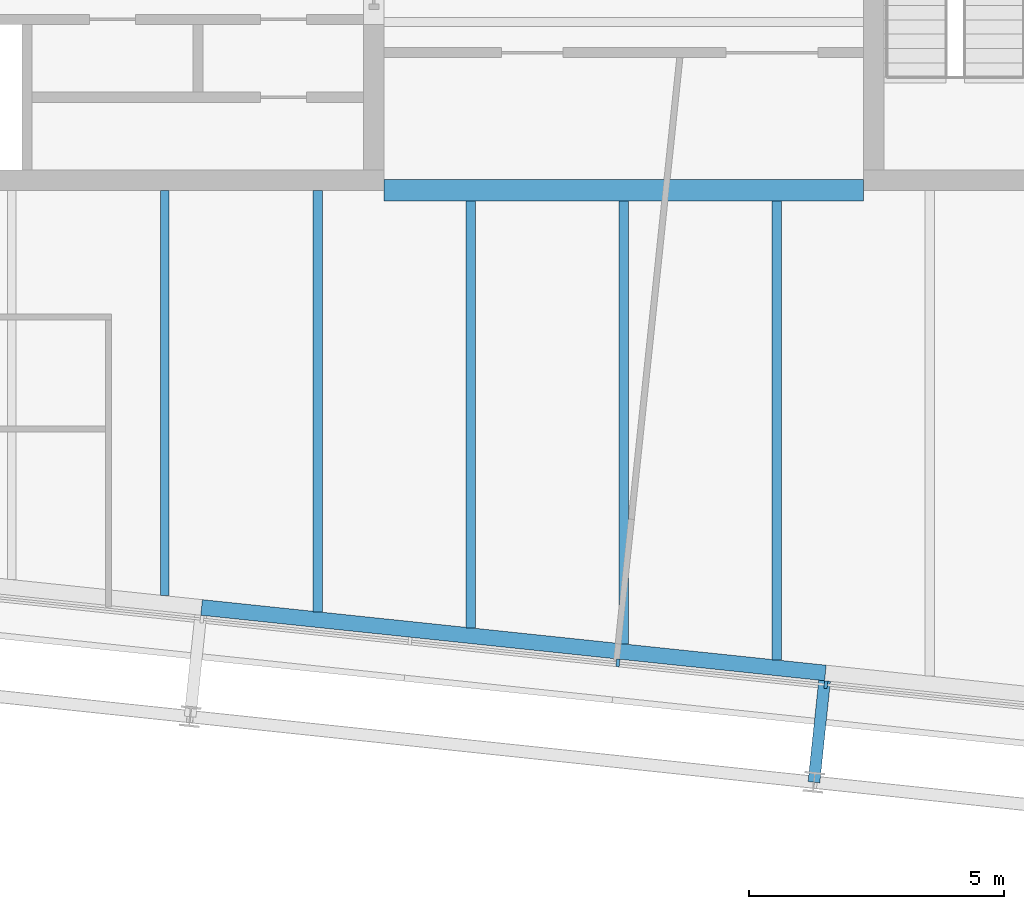
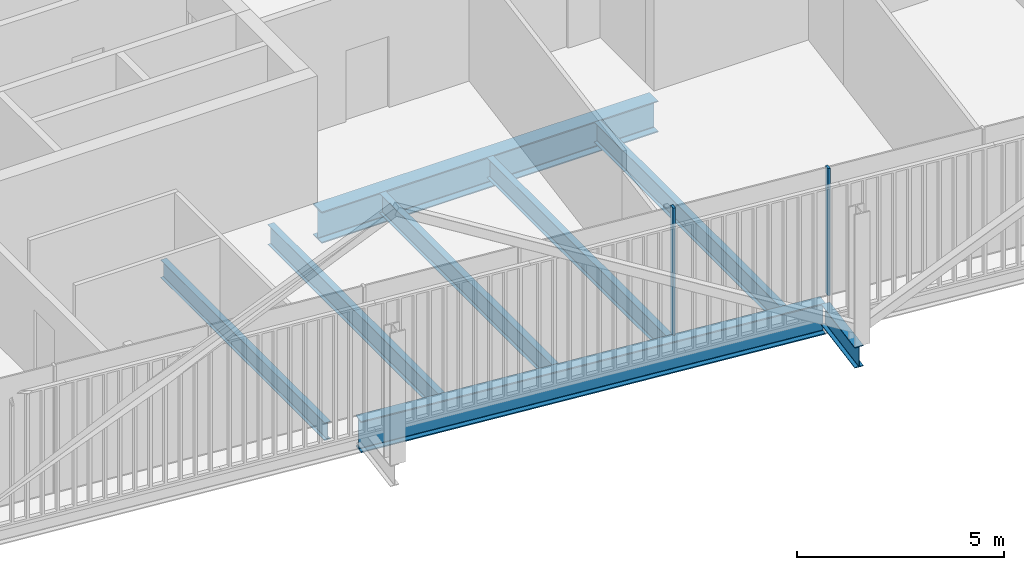
# One storey, part 5 of 21: 8 beams, 2 members, 1 element without a shape of its own.
"""IFC4 building model written with IfcOpenShell, lengths in metres."""

import ifcopenshell
import ifcopenshell.guid

model = None  # the IFC model being written
_history = None  # IfcOwnerHistory: only IFC2X3 demands one
_inside = {}  # id of a spatial element -> (the spatial element, [elements in it])
_under = {}  # id of a project, library or spatial element -> (it, [spatial elements below it])
_declared = {}  # id of a project -> (the project, [libraries it declares])
_typed = {}  # id of a type object -> (the type object, [elements of that type])
_made_of = {}  # id of a material, layer set ... -> (it, [elements and type objects made of it])


def new_model(schema):
    """Start an empty IFC model of exactly this schema.

    Asked for "IFC4X3", IfcOpenShell would pick the latest addendum, in which some entities
    have other attributes; the version numbers below select the first issue.
    IFC2X3 requires an IfcOwnerHistory on every rooted entity: one is made here for all.
    """
    global model, _history
    if schema == "IFC4X3":
        model = ifcopenshell.file(schema_version=(4, 3, 0, 0))
    else:
        model = ifcopenshell.file(schema=schema)
    _inside.clear()
    _under.clear()
    _declared.clear()
    _typed.clear()
    _made_of.clear()
    _history = None
    if model.schema == "IFC2X3":
        org = make("IfcOrganization", Name="unknown")
        user = make(
            "IfcPersonAndOrganization",
            ThePerson=make("IfcPerson", FamilyName="unknown"),
            TheOrganization=org,
        )
        app = make(
            "IfcApplication",
            ApplicationDeveloper=org,
            Version="unknown",
            ApplicationFullName="unknown",
            ApplicationIdentifier="unknown",
        )
        _history = make(
            "IfcOwnerHistory",
            OwningUser=user,
            OwningApplication=app,
            ChangeAction="ADDED",
            CreationDate=0,
        )
    return model


def make(cls, **values):
    """One entity of the class cls with the attributes given. An attribute that is None is left unset."""
    return model.create_entity(
        cls, **{name: value for name, value in values.items() if value is not None}
    )


def rooted(cls, **values):
    """An entity with a GlobalId (a new one), such as an element, a storey or a relation."""
    return make(cls, GlobalId=ifcopenshell.guid.new(), OwnerHistory=_history, **values)


def si_unit(unit_type, name, prefix=None):
    """IfcSIUnit, for example si_unit("LENGTHUNIT", "METRE", prefix="MILLI")."""
    return make("IfcSIUnit", UnitType=unit_type, Prefix=prefix, Name=name)


def assignment(units):
    """IfcUnitAssignment: the units of a project."""
    return None if units is None else make("IfcUnitAssignment", Units=units)


def point(xyz):
    """IfcCartesianPoint."""
    return None if xyz is None else make("IfcCartesianPoint", Coordinates=xyz)


def direction(xyz):
    """IfcDirection."""
    return None if xyz is None else make("IfcDirection", DirectionRatios=xyz)


def frame(location, z_axis=None, x_axis=None):
    """IfcAxis2Placement3D, a coordinate frame: its origin and axes. An axis left out is left unset."""
    return make(
        "IfcAxis2Placement3D",
        Location=point(location),
        Axis=direction(z_axis),
        RefDirection=direction(x_axis),
    )


def frame_2d(location, x_axis=None):
    """IfcAxis2Placement2D, a coordinate frame in the plane: its origin and x axis."""
    return make(
        "IfcAxis2Placement2D", Location=point(location), RefDirection=direction(x_axis)
    )


def origin():
    """The frame at (0, 0, 0) with its axes left unset."""
    return frame((0.0, 0.0, 0.0))


def origin_2d():
    """The frame at (0, 0) in the plane with its x axis left unset."""
    return frame_2d((0.0, 0.0))


def place(relative_to, where):
    """IfcLocalPlacement: puts the frame where relative to a parent placement (None: the world)."""
    return make(
        "IfcLocalPlacement", PlacementRelTo=relative_to, RelativePlacement=where
    )


def context(
    kind, dimensions, precision=None, world=None, true_north=None, identifier=None
):
    """IfcGeometricRepresentationContext, for example the 3D "Model" context."""
    return make(
        "IfcGeometricRepresentationContext",
        ContextIdentifier=identifier,
        ContextType=kind,
        CoordinateSpaceDimension=dimensions,
        Precision=precision,
        WorldCoordinateSystem=world,
        TrueNorth=true_north,
    )


def subcontext(parent, identifier, kind, view, scale=None):
    """IfcGeometricRepresentationSubContext, for example "Body" below "Model"."""
    return make(
        "IfcGeometricRepresentationSubContext",
        ContextIdentifier=identifier,
        ContextType=kind,
        ParentContext=parent,
        TargetScale=scale,
        TargetView=view,
    )


def project(units=None, contexts=None):
    """IfcProject with its units and contexts."""
    return rooted(
        "IfcProject",
        Name="project",
        RepresentationContexts=contexts,
        UnitsInContext=assignment(units),
    )


def spatial(cls, under=None, at=None, **own):
    """A site, building, storey or space (cls), placed at a placement, below another one or the project."""
    s = rooted(cls, ObjectPlacement=at, **own)
    if under is not None:
        _under.setdefault(under.id(), (under, []))[1].append(s)
    return s


def profile(cls, at=None, kind="AREA", **sizes):
    """A parametric profile (cls). Its sizes go by their IFC names, for example OverallWidth=200.0."""
    return make(cls, ProfileType=kind, Position=at, **sizes)


def rectangle(**sizes):
    """IfcRectangleProfileDef."""
    return profile("IfcRectangleProfileDef", **sizes)


def i_section(**sizes):
    """IfcIShapeProfileDef."""
    return profile("IfcIShapeProfileDef", **sizes)


def extrude(swept, where, along, depth):
    """IfcExtrudedAreaSolid: the profile swept, set in the frame where, extruded along a direction by depth."""
    return make(
        "IfcExtrudedAreaSolid",
        SweptArea=swept,
        Position=where,
        ExtrudedDirection=direction(along),
        Depth=depth,
    )


def shape(context_of_items, identifier, shape_type, items):
    """IfcShapeRepresentation: the items that make up one representation, for example the "Body"."""
    return make(
        "IfcShapeRepresentation",
        ContextOfItems=context_of_items,
        RepresentationIdentifier=identifier,
        RepresentationType=shape_type,
        Items=items,
    )


def material(Name=None, Category=None):
    """IfcMaterial."""
    return make("IfcMaterial", Name=Name, Category=Category)


def layer(
    of_material, thickness, ventilated=None, Name=None, Category=None, Priority=None
):
    """IfcMaterialLayer: one layer of a wall or slab, of a material (None: an air gap)."""
    return make(
        "IfcMaterialLayer",
        Material=of_material,
        LayerThickness=thickness,
        IsVentilated=ventilated,
        Name=Name,
        Category=Category,
        Priority=Priority,
    )


def layer_set(layers, Name=None):
    """IfcMaterialLayerSet."""
    return make("IfcMaterialLayerSet", MaterialLayers=layers, LayerSetName=Name)


def material_profile(
    of_material, cross_section, Name=None, Category=None, Priority=None
):
    """IfcMaterialProfile: a cross section and its material."""
    return make(
        "IfcMaterialProfile",
        Name=Name,
        Material=of_material,
        Profile=cross_section,
        Priority=Priority,
        Category=Category,
    )


def profile_set(profiles, Name=None, composite=None):
    """IfcMaterialProfileSet."""
    return make(
        "IfcMaterialProfileSet",
        Name=Name,
        MaterialProfiles=profiles,
        CompositeProfile=composite,
    )


def made_of(thing, what):
    """Note that an element or type object is made of a material, layer set ...; save() writes the relation."""
    if what is not None:
        _made_of.setdefault(what.id(), (what, []))[1].append(thing)
    return thing


def type_object(cls, material=None, **own):
    """A type object (cls), such as IfcWallType, which elements share."""
    return made_of(rooted(cls, **own), material)


def element(
    cls,
    number,
    at=None,
    inside=None,
    cuts=None,
    type_object=None,
    material=None,
    context=None,
    identifier="Body",
    shape_type=None,
    held_by="IfcProductDefinitionShape",
    body=None,
    shapes=None,
    **own,
):
    """One element of the class cls, such as IfcWall. Its Tag is "e" and its number.

    at: its placement. inside: the storey or other place that contains it. cuts: it is an
    opening in that element (IfcRelVoidsElement). A single representation is given by context,
    identifier, shape_type and body (its items); several are given by shapes. held_by: the class
    of the entity that holds the representations. save() writes the other relations.
    """
    e = rooted(cls, Tag="e%d" % number, ObjectPlacement=at, **own)
    if body is not None:
        shapes = [shape(context, identifier, shape_type, body)]
    if shapes is not None:
        e.Representation = make(held_by, Representations=shapes)
    if inside is not None:
        _inside.setdefault(inside.id(), (inside, []))[1].append(e)
    if cuts is not None:
        rooted(
            "IfcRelVoidsElement", RelatingBuildingElement=cuts, RelatedOpeningElement=e
        )
    if type_object is not None:
        _typed.setdefault(type_object.id(), (type_object, []))[1].append(e)
    return made_of(e, material)


def aggregate(whole, parts):
    """IfcRelAggregates: a whole, such as a stair, and the parts it consists of."""
    return rooted("IfcRelAggregates", RelatingObject=whole, RelatedObjects=parts)


def save(model, path):
    """Write the relations noted so far, then the file.

    IfcRelAggregates (storeys below a building ...), IfcRelContainedInSpatialStructure (elements
    in a storey), IfcRelDefinesByType, IfcRelAssociatesMaterial and IfcRelDeclares: one each for
    every whole, place, type object, material and project.
    """
    for whole, parts in _under.values():
        aggregate(whole, parts)
    for where, things in _inside.values():
        rooted(
            "IfcRelContainedInSpatialStructure",
            RelatedElements=things,
            RelatingStructure=where,
        )
    for kind, things in _typed.values():
        rooted("IfcRelDefinesByType", RelatedObjects=things, RelatingType=kind)
    for what, things in _made_of.values():
        rooted("IfcRelAssociatesMaterial", RelatedObjects=things, RelatingMaterial=what)
    for by, libraries in _declared.values():
        rooted("IfcRelDeclares", RelatingContext=by, RelatedDefinitions=libraries)
    model.write(path)


model = new_model("IFC4")

# Units and contexts
model_context = context("Model", 3, precision=1e-05, world=origin(), true_north=direction((0.0, 1.0)))
body_context = subcontext(model_context, "Body", "Model", "MODEL_VIEW")
ifc_project = project(units=[si_unit("LENGTHUNIT", "METRE"), si_unit("AREAUNIT", "SQUARE_METRE"), si_unit("VOLUMEUNIT", "CUBIC_METRE"), si_unit("PLANEANGLEUNIT", "RADIAN"), si_unit("MASSUNIT", "GRAM", prefix="KILO")], contexts=[model_context])

# Site, building, storey
site_placement = place(None, origin())
site = spatial("IfcSite", under=ifc_project, at=site_placement, CompositionType="ELEMENT")
building_placement = place(site_placement, origin())
building = spatial("IfcBuilding", under=site, at=building_placement, Name="Millrace Tower", CompositionType="ELEMENT")
storey_placement = place(building_placement, frame((0.0, 0.0, 318.699951171875)))
storey = spatial("IfcBuildingStorey", under=building, at=storey_placement, Name="L73", CompositionType="ELEMENT", Elevation=318.699951171875)

# Curtain wall, members
ifc_material_1 = material(Name="Aluminium and glass", Category="aluminium")
ifc_layer = layer(ifc_material_1, 0.14990234375)
ifc_layer_set = layer_set([ifc_layer], Name="Aluminium and glass")
curtain_wall_type = type_object("IfcCurtainWallType", Name="CW-1 office vision curtain wall", PredefinedType="NOTDEFINED", material=ifc_layer_set)
curtain_wall_placement = place(storey_placement, origin())
curtain_wall = element("IfcCurtainWall", 1, at=curtain_wall_placement, inside=storey, type_object=curtain_wall_type, Name="Curtain wall E-F02 L73", PredefinedType="NOTDEFINED")
ifc_material_2 = material(Name="Aluminium", Category="aluminium")
ifc_material_profile_1 = material_profile(ifc_material_2, rectangle(XDim=0.06494140625, YDim=0.14990234375, at=origin_2d()))
ifc_profile_set_1 = profile_set([ifc_material_profile_1], Name="Aluminium")
member_type = type_object("IfcMemberType", Name="CW-1 office vision curtain wall mullion", PredefinedType="MULLION", material=ifc_profile_set_1)
member_1_placement = place(storey_placement, frame((-0.11474609375, -18.567626953125, 0.14013671875), z_axis=(0.0, 0.0, 1.0), x_axis=(0.994521896217, -0.104528455196, 0.0)))
member_1 = element("IfcMember", 2, at=member_1_placement, type_object=member_type, Name="CW1 mullion E-F02.6", PredefinedType="MULLION", context=body_context, shape_type="SweptSolid", body=[
    extrude(rectangle(XDim=0.06494140625, YDim=0.14990234375, at=origin_2d()), origin(), (0.0, 0.0, 1.0), 3.760009765625),
])
member_2_placement = place(storey_placement, frame((3.962890625, -18.99609375, 0.14013671875), z_axis=(0.0, 0.0, 1.0), x_axis=(0.994521896217, -0.104528455196, 0.0)))
member_2 = element("IfcMember", 3, at=member_2_placement, type_object=member_type, Name="CW1 mullion E-F02.7", PredefinedType="MULLION", context=body_context, shape_type="SweptSolid", body=[
    extrude(rectangle(XDim=0.06494140625, YDim=0.14990234375, at=origin_2d()), origin(), (0.0, 0.0, 1.0), 3.760009765625),
])
aggregate(curtain_wall, [member_1, member_2])

# Beams
ifc_material_3 = material(Name="Steel ASTM A992 Grade 50", Category="steel")
ifc_material_profile_2 = material_profile(ifc_material_3, i_section(OverallWidth=0.1650390625, OverallDepth=0.52587890625, WebThickness=0.0087890625, FlangeThickness=0.011474609375, FilletRadius=0.0126953125, at=origin_2d()))
ifc_profile_set_2 = profile_set([ifc_material_profile_2], Name="Steel ASTM A992 Grade 50")
beam_type_1 = type_object("IfcBeamType", Name="Floor beam W21x44", PredefinedType="JOIST", material=ifc_profile_set_2)
beam_1_placement = place(storey_placement, frame((-9.0, -17.249267578125, -0.4228515625), z_axis=(0.0, 1.0, 0.0), x_axis=(-1.0, 0.0, 0.0)))
element("IfcBeam", 4, at=beam_1_placement, inside=storey, type_object=beam_type_1, Name="BM-E-L73-S1-S039", PredefinedType="JOIST", context=body_context, shape_type="SweptSolid", body=[
    extrude(i_section(OverallWidth=0.1650390625, OverallDepth=0.52587890625, WebThickness=0.0087890625, FlangeThickness=0.011474609375, FilletRadius=0.0126953125, at=origin_2d()), origin(), (0.0, 0.0, 1.0), 7.94921875),
])
ifc_material_4 = material(Name="Steel ASTM A992 Grade 50", Category="steel")
ifc_material_profile_3 = material_profile(ifc_material_4, i_section(OverallWidth=0.177978515625, OverallDepth=0.599365234375, WebThickness=0.010009765625, FlangeThickness=0.012939453125, FilletRadius=0.012939453125, at=origin_2d()))
ifc_profile_set_3 = profile_set([ifc_material_profile_3], Name="Steel ASTM A992 Grade 50")
beam_type_2 = type_object("IfcBeamType", Name="Floor beam W24x55", PredefinedType="JOIST", material=ifc_profile_set_3)
beam_2_placement = place(storey_placement, frame((-6.0, -17.564697265625, -0.459716796875), z_axis=(0.0, 1.0, 0.0), x_axis=(-1.0, 0.0, 0.0)))
element("IfcBeam", 5, at=beam_2_placement, inside=storey, type_object=beam_type_2, Name="BM-E-L73-S1-S041", PredefinedType="JOIST", context=body_context, shape_type="SweptSolid", body=[
    extrude(i_section(OverallWidth=0.177978515625, OverallDepth=0.599365234375, WebThickness=0.010009765625, FlangeThickness=0.012939453125, FilletRadius=0.012939453125, at=origin_2d()), origin(), (0.0, 0.0, 1.0), 8.2646484375),
])
beam_3_placement = place(storey_placement, frame((-3.0, -17.8798828125, -0.459716796875), z_axis=(0.0, 1.0, 0.0), x_axis=(-1.0, 0.0, 0.0)))
element("IfcBeam", 6, at=beam_3_placement, inside=storey, type_object=beam_type_2, Name="BM-E-L73-S1-S043", PredefinedType="JOIST", context=body_context, shape_type="SweptSolid", body=[
    extrude(i_section(OverallWidth=0.177978515625, OverallDepth=0.599365234375, WebThickness=0.010009765625, FlangeThickness=0.012939453125, FilletRadius=0.012939453125, at=origin_2d()), origin(), (0.0, 0.0, 1.0), 8.370361328125),
])
beam_4_placement = place(storey_placement, frame((0.0, -18.1953125, -0.459716796875), z_axis=(0.0, 1.0, 0.0), x_axis=(-1.0, 0.0, 0.0)))
element("IfcBeam", 7, at=beam_4_placement, inside=storey, type_object=beam_type_2, Name="BM-E-L73-S1-S045", PredefinedType="JOIST", context=body_context, shape_type="SweptSolid", body=[
    extrude(i_section(OverallWidth=0.177978515625, OverallDepth=0.599365234375, WebThickness=0.010009765625, FlangeThickness=0.012939453125, FilletRadius=0.012939453125, at=origin_2d()), origin(), (0.0, 0.0, 1.0), 8.685791015625),
])
beam_5_placement = place(storey_placement, frame((3.0, -18.510498046875, -0.459716796875), z_axis=(0.0, 1.0, 0.0), x_axis=(-1.0, 0.0, 0.0)))
element("IfcBeam", 8, at=beam_5_placement, inside=storey, type_object=beam_type_2, Name="BM-E-L73-S1-S047", PredefinedType="JOIST", context=body_context, shape_type="SweptSolid", body=[
    extrude(i_section(OverallWidth=0.177978515625, OverallDepth=0.599365234375, WebThickness=0.010009765625, FlangeThickness=0.012939453125, FilletRadius=0.012939453125, at=origin_2d()), origin(), (0.0, 0.0, 1.0), 9.0009765625),
])
ifc_material_5 = material(Name="Steel ASTM A992 Grade 50", Category="steel")
ifc_material_profile_4 = material_profile(ifc_material_5, i_section(OverallWidth=0.419189453125, OverallDepth=0.927001953125, WebThickness=0.019287109375, FlangeThickness=0.031982421875, FilletRadius=0.024169921875, at=origin_2d()))
ifc_profile_set_4 = profile_set([ifc_material_profile_4], Name="Steel ASTM A992 Grade 50")
beam_type_3 = type_object("IfcBeamType", Name="Girder short span W36x231", PredefinedType="BEAM", material=ifc_profile_set_4)
beam_6_placement = place(storey_placement, frame((-4.699951171875, -9.300048828125, -0.62353515625), z_axis=(1.0, 0.0, 0.0), x_axis=(0.0, 1.0, 0.0)))
element("IfcBeam", 9, at=beam_6_placement, inside=storey, type_object=beam_type_3, Name="BM-E-L73-S1-G059", PredefinedType="BEAM", context=body_context, shape_type="SweptSolid", body=[
    extrude(i_section(OverallWidth=0.419189453125, OverallDepth=0.927001953125, WebThickness=0.019287109375, FlangeThickness=0.031982421875, FilletRadius=0.024169921875, at=origin_2d()), origin(), (0.0, 0.0, 1.0), 9.39990234375),
])
ifc_material_6 = material(Name="Steel ASTM A992 Grade 50", Category="steel")
ifc_material_profile_5 = material_profile(ifc_material_6, i_section(OverallWidth=0.23046875, OverallDepth=0.6171875, WebThickness=0.01318359375, FlangeThickness=0.022216796875, FilletRadius=0.012939453125, at=origin_2d()))
ifc_profile_set_5 = profile_set([ifc_material_profile_5], Name="Steel ASTM A992 Grade 50")
beam_type_4 = type_object("IfcBeamType", Name="Link beam W24x94", PredefinedType="BEAM", material=ifc_profile_set_5)
beam_7_placement = place(storey_placement, frame((3.938232421875, -18.918212890625, -0.468505859375), z_axis=(-0.104494148666, -0.99452550138, 0.0), x_axis=(0.99452550138, -0.104494148666, 0.0)))
element("IfcBeam", 10, at=beam_7_placement, inside=storey, type_object=beam_type_4, Name="LNK-E-L73-S1-14", PredefinedType="BEAM", context=body_context, shape_type="SweptSolid", body=[
    extrude(i_section(OverallWidth=0.23046875, OverallDepth=0.6171875, WebThickness=0.01318359375, FlangeThickness=0.022216796875, FilletRadius=0.012939453125, at=origin_2d()), origin(), (0.0, 0.0, 1.0), 2.0),
])
ifc_material_7 = material(Name="Steel ASTM A992 Grade 50", Category="steel")
ifc_material_profile_6 = material_profile(ifc_material_7, i_section(OverallWidth=0.307373046875, OverallDepth=0.927001953125, WebThickness=0.01953125, FlangeThickness=0.031982421875, FilletRadius=0.01904296875, at=origin_2d()))
ifc_profile_set_6 = profile_set([ifc_material_profile_6], Name="Steel ASTM A992 Grade 50")
beam_type_5 = type_object("IfcBeamType", Name="Ring beam medium span W36x194", PredefinedType="SPANDREL", material=ifc_profile_set_6)
beam_8_placement = place(storey_placement, frame((3.954345703125, -18.765380859375, -0.62353515625), z_axis=(-0.994522406476, 0.104523600289, 0.0), x_axis=(-0.104523600289, -0.994522406476, 0.0)))
element("IfcBeam", 11, at=beam_8_placement, inside=storey, type_object=beam_type_5, Name="RNG-E-L73-S1-14", PredefinedType="SPANDREL", context=body_context, shape_type="SweptSolid", body=[
    extrude(i_section(OverallWidth=0.307373046875, OverallDepth=0.927001953125, WebThickness=0.01953125, FlangeThickness=0.031982421875, FilletRadius=0.01904296875, at=origin_2d()), origin(), (0.0, 0.0, 1.0), 12.300048828125),
])

save(model, "model.ifc")
